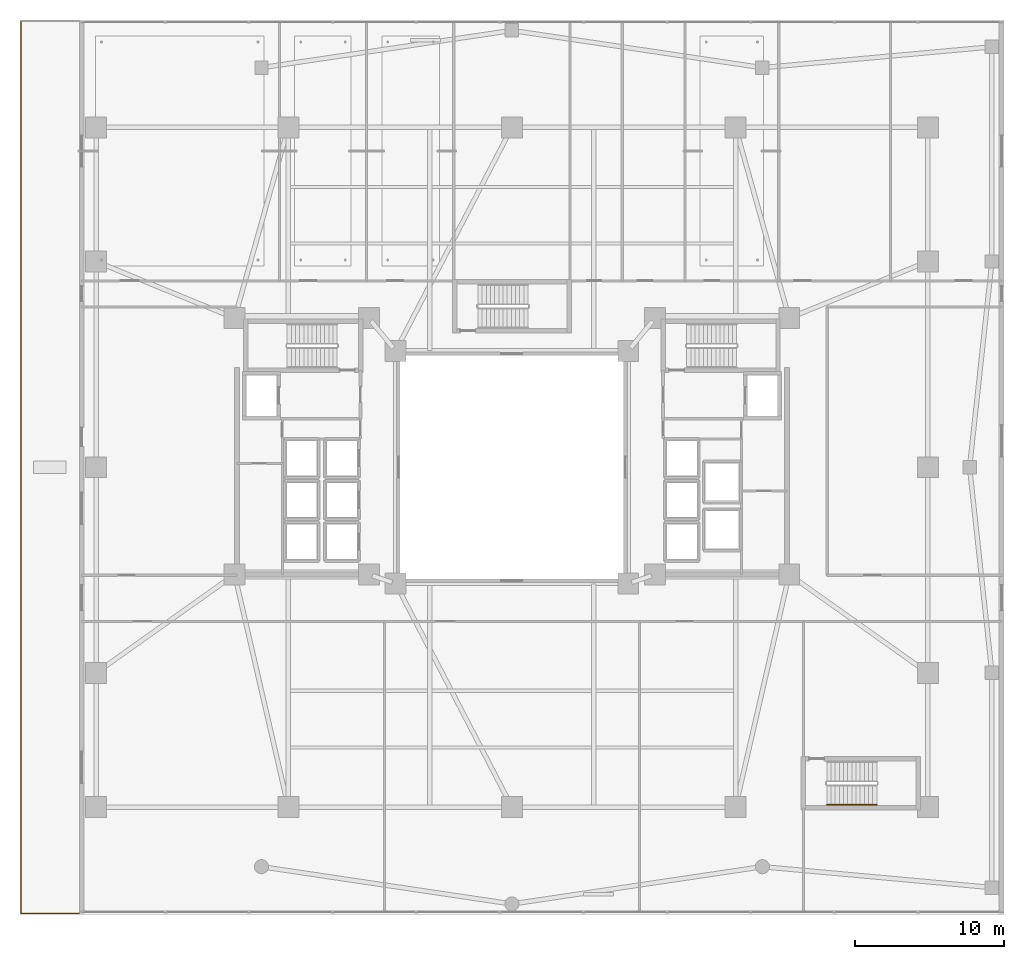
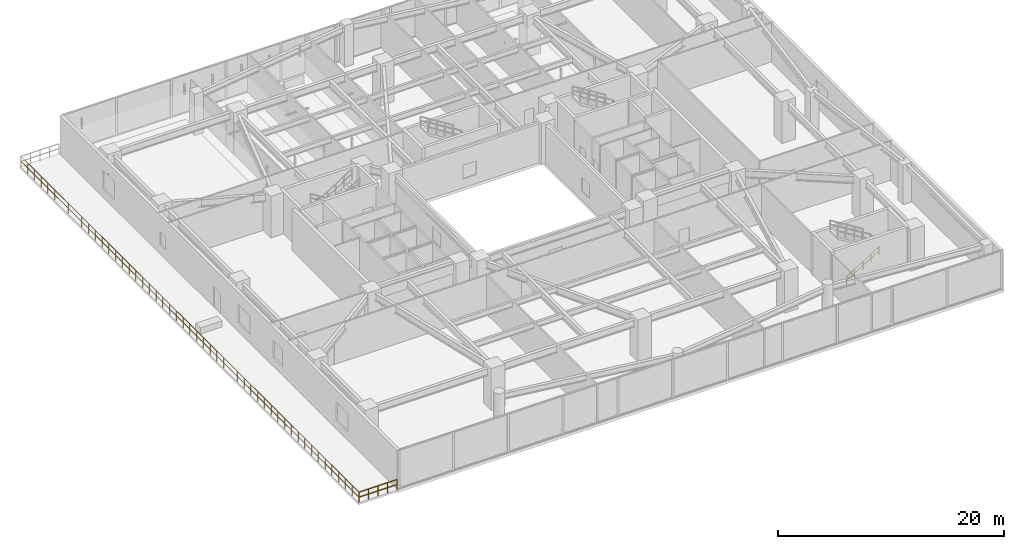
# One storey, part 26 of 29: 3 railings.
"""IFC4 building model written with IfcOpenShell, lengths in metres."""

import ifcopenshell
import ifcopenshell.guid

model = None  # the IFC model being written
_history = None  # IfcOwnerHistory: only IFC2X3 demands one
_inside = {}  # id of a spatial element -> (the spatial element, [elements in it])
_under = {}  # id of a project, library or spatial element -> (it, [spatial elements below it])
_declared = {}  # id of a project -> (the project, [libraries it declares])
_typed = {}  # id of a type object -> (the type object, [elements of that type])
_made_of = {}  # id of a material, layer set ... -> (it, [elements and type objects made of it])


def new_model(schema):
    """Start an empty IFC model of exactly this schema.

    Asked for "IFC4X3", IfcOpenShell would pick the latest addendum, in which some entities
    have other attributes; the version numbers below select the first issue.
    IFC2X3 requires an IfcOwnerHistory on every rooted entity: one is made here for all.
    """
    global model, _history
    if schema == "IFC4X3":
        model = ifcopenshell.file(schema_version=(4, 3, 0, 0))
    else:
        model = ifcopenshell.file(schema=schema)
    _inside.clear()
    _under.clear()
    _declared.clear()
    _typed.clear()
    _made_of.clear()
    _history = None
    if model.schema == "IFC2X3":
        org = make("IfcOrganization", Name="unknown")
        user = make(
            "IfcPersonAndOrganization",
            ThePerson=make("IfcPerson", FamilyName="unknown"),
            TheOrganization=org,
        )
        app = make(
            "IfcApplication",
            ApplicationDeveloper=org,
            Version="unknown",
            ApplicationFullName="unknown",
            ApplicationIdentifier="unknown",
        )
        _history = make(
            "IfcOwnerHistory",
            OwningUser=user,
            OwningApplication=app,
            ChangeAction="ADDED",
            CreationDate=0,
        )
    return model


def make(cls, **values):
    """One entity of the class cls with the attributes given. An attribute that is None is left unset."""
    return model.create_entity(
        cls, **{name: value for name, value in values.items() if value is not None}
    )


def rooted(cls, **values):
    """An entity with a GlobalId (a new one), such as an element, a storey or a relation."""
    return make(cls, GlobalId=ifcopenshell.guid.new(), OwnerHistory=_history, **values)


def si_unit(unit_type, name, prefix=None):
    """IfcSIUnit, for example si_unit("LENGTHUNIT", "METRE", prefix="MILLI")."""
    return make("IfcSIUnit", UnitType=unit_type, Prefix=prefix, Name=name)


def assignment(units):
    """IfcUnitAssignment: the units of a project."""
    return None if units is None else make("IfcUnitAssignment", Units=units)


def point(xyz):
    """IfcCartesianPoint."""
    return None if xyz is None else make("IfcCartesianPoint", Coordinates=xyz)


def direction(xyz):
    """IfcDirection."""
    return None if xyz is None else make("IfcDirection", DirectionRatios=xyz)


def frame(location, z_axis=None, x_axis=None):
    """IfcAxis2Placement3D, a coordinate frame: its origin and axes. An axis left out is left unset."""
    return make(
        "IfcAxis2Placement3D",
        Location=point(location),
        Axis=direction(z_axis),
        RefDirection=direction(x_axis),
    )


def frame_2d(location, x_axis=None):
    """IfcAxis2Placement2D, a coordinate frame in the plane: its origin and x axis."""
    return make(
        "IfcAxis2Placement2D", Location=point(location), RefDirection=direction(x_axis)
    )


def origin():
    """The frame at (0, 0, 0) with its axes left unset."""
    return frame((0.0, 0.0, 0.0))


def origin_2d():
    """The frame at (0, 0) in the plane with its x axis left unset."""
    return frame_2d((0.0, 0.0))


def place(relative_to, where):
    """IfcLocalPlacement: puts the frame where relative to a parent placement (None: the world)."""
    return make(
        "IfcLocalPlacement", PlacementRelTo=relative_to, RelativePlacement=where
    )


def context(
    kind, dimensions, precision=None, world=None, true_north=None, identifier=None
):
    """IfcGeometricRepresentationContext, for example the 3D "Model" context."""
    return make(
        "IfcGeometricRepresentationContext",
        ContextIdentifier=identifier,
        ContextType=kind,
        CoordinateSpaceDimension=dimensions,
        Precision=precision,
        WorldCoordinateSystem=world,
        TrueNorth=true_north,
    )


def subcontext(parent, identifier, kind, view, scale=None):
    """IfcGeometricRepresentationSubContext, for example "Body" below "Model"."""
    return make(
        "IfcGeometricRepresentationSubContext",
        ContextIdentifier=identifier,
        ContextType=kind,
        ParentContext=parent,
        TargetScale=scale,
        TargetView=view,
    )


def project(units=None, contexts=None):
    """IfcProject with its units and contexts."""
    return rooted(
        "IfcProject",
        Name="project",
        RepresentationContexts=contexts,
        UnitsInContext=assignment(units),
    )


def spatial(cls, under=None, at=None, **own):
    """A site, building, storey or space (cls), placed at a placement, below another one or the project."""
    s = rooted(cls, ObjectPlacement=at, **own)
    if under is not None:
        _under.setdefault(under.id(), (under, []))[1].append(s)
    return s


def profile(cls, at=None, kind="AREA", **sizes):
    """A parametric profile (cls). Its sizes go by their IFC names, for example OverallWidth=200.0."""
    return make(cls, ProfileType=kind, Position=at, **sizes)


def circle(**sizes):
    """IfcCircleProfileDef."""
    return profile("IfcCircleProfileDef", **sizes)


def extrude(swept, where, along, depth):
    """IfcExtrudedAreaSolid: the profile swept, set in the frame where, extruded along a direction by depth."""
    return make(
        "IfcExtrudedAreaSolid",
        SweptArea=swept,
        Position=where,
        ExtrudedDirection=direction(along),
        Depth=depth,
    )


def shape(context_of_items, identifier, shape_type, items):
    """IfcShapeRepresentation: the items that make up one representation, for example the "Body"."""
    return make(
        "IfcShapeRepresentation",
        ContextOfItems=context_of_items,
        RepresentationIdentifier=identifier,
        RepresentationType=shape_type,
        Items=items,
    )


def material(Name=None, Category=None):
    """IfcMaterial."""
    return make("IfcMaterial", Name=Name, Category=Category)


def made_of(thing, what):
    """Note that an element or type object is made of a material, layer set ...; save() writes the relation."""
    if what is not None:
        _made_of.setdefault(what.id(), (what, []))[1].append(thing)
    return thing


def type_object(cls, material=None, **own):
    """A type object (cls), such as IfcWallType, which elements share."""
    return made_of(rooted(cls, **own), material)


def element(
    cls,
    number,
    at=None,
    inside=None,
    cuts=None,
    type_object=None,
    material=None,
    context=None,
    identifier="Body",
    shape_type=None,
    held_by="IfcProductDefinitionShape",
    body=None,
    shapes=None,
    **own,
):
    """One element of the class cls, such as IfcWall. Its Tag is "e" and its number.

    at: its placement. inside: the storey or other place that contains it. cuts: it is an
    opening in that element (IfcRelVoidsElement). A single representation is given by context,
    identifier, shape_type and body (its items); several are given by shapes. held_by: the class
    of the entity that holds the representations. save() writes the other relations.
    """
    e = rooted(cls, Tag="e%d" % number, ObjectPlacement=at, **own)
    if body is not None:
        shapes = [shape(context, identifier, shape_type, body)]
    if shapes is not None:
        e.Representation = make(held_by, Representations=shapes)
    if inside is not None:
        _inside.setdefault(inside.id(), (inside, []))[1].append(e)
    if cuts is not None:
        rooted(
            "IfcRelVoidsElement", RelatingBuildingElement=cuts, RelatedOpeningElement=e
        )
    if type_object is not None:
        _typed.setdefault(type_object.id(), (type_object, []))[1].append(e)
    return made_of(e, material)


def aggregate(whole, parts):
    """IfcRelAggregates: a whole, such as a stair, and the parts it consists of."""
    return rooted("IfcRelAggregates", RelatingObject=whole, RelatedObjects=parts)


def save(model, path):
    """Write the relations noted so far, then the file.

    IfcRelAggregates (storeys below a building ...), IfcRelContainedInSpatialStructure (elements
    in a storey), IfcRelDefinesByType, IfcRelAssociatesMaterial and IfcRelDeclares: one each for
    every whole, place, type object, material and project.
    """
    for whole, parts in _under.values():
        aggregate(whole, parts)
    for where, things in _inside.values():
        rooted(
            "IfcRelContainedInSpatialStructure",
            RelatedElements=things,
            RelatingStructure=where,
        )
    for kind, things in _typed.values():
        rooted("IfcRelDefinesByType", RelatedObjects=things, RelatingType=kind)
    for what, things in _made_of.values():
        rooted("IfcRelAssociatesMaterial", RelatedObjects=things, RelatingMaterial=what)
    for by, libraries in _declared.values():
        rooted("IfcRelDeclares", RelatingContext=by, RelatedDefinitions=libraries)
    model.write(path)


model = new_model("IFC4")

# Units and contexts
model_context = context("Model", 3, precision=1e-05, world=origin(), true_north=direction((0.0, 1.0)))
body_context = subcontext(model_context, "Body", "Model", "MODEL_VIEW")
ifc_project = project(units=[si_unit("LENGTHUNIT", "METRE"), si_unit("AREAUNIT", "SQUARE_METRE"), si_unit("VOLUMEUNIT", "CUBIC_METRE"), si_unit("PLANEANGLEUNIT", "RADIAN"), si_unit("MASSUNIT", "GRAM", prefix="KILO")], contexts=[model_context])

# Site, building, storey
site_placement = place(None, origin())
site = spatial("IfcSite", under=ifc_project, at=site_placement, CompositionType="ELEMENT")
building_placement = place(site_placement, origin())
building = spatial("IfcBuilding", under=site, at=building_placement, Name="Tarnavaz Court Tower", CompositionType="ELEMENT")
storey_placement = place(building_placement, frame((0.0, 0.0, 5.39990234375)))
storey = spatial("IfcBuildingStorey", under=building, at=storey_placement, Name="L01", CompositionType="ELEMENT", Elevation=5.39990234375)

# Railings
ifc_material_1 = material(Name="Anodised Aluminium 6063-T6 and Laminated Safety Glass", Category="aluminium")
railing_type_1 = type_object("IfcRailingType", Name="RL-BAL-1120", PredefinedType="BALUSTRADE", material=ifc_material_1)
railing_1_placement = place(storey_placement, frame((-32.93994140625, -29.93994140625, 0.0)))
element("IfcRailing", 1, at=railing_1_placement, inside=storey, type_object=railing_type_1, Name="L01 Terrace 1 S Perimeter Balustrade", PredefinedType="BALUSTRADE", context=body_context, shape_type="SweptSolid", body=[
    extrude(circle(Radius=0.02392578125, at=origin_2d()), frame((0.0, 0.0, 1.09619140625), z_axis=(1.0, 0.0, 0.0), x_axis=(0.0, 1.0, 0.0)), (0.0, 0.0, 1.0), 3.8798828125),
    extrude(circle(Radius=0.02392578125, at=origin_2d()), frame((0.0, 0.0, 0.56005859375), z_axis=(1.0, 0.0, 0.0), x_axis=(0.0, 1.0, 0.0)), (0.0, 0.0, 1.0), 3.8798828125),
    extrude(circle(Radius=0.02099609375, at=origin_2d()), origin(), (0.0, 0.0, 1.0), 1.072021484375),
    extrude(circle(Radius=0.02099609375, at=origin_2d()), frame((0.969970703125, 0.0, 0.0)), (0.0, 0.0, 1.0), 1.072021484375),
    extrude(circle(Radius=0.02099609375, at=origin_2d()), frame((1.93994140625, 0.0, 0.0)), (0.0, 0.0, 1.0), 1.072021484375),
    extrude(circle(Radius=0.02099609375, at=origin_2d()), frame((2.909912109375, 0.0, 0.0)), (0.0, 0.0, 1.0), 1.072021484375),
    extrude(circle(Radius=0.02099609375, at=origin_2d()), frame((3.8798828125, 0.0, 0.0)), (0.0, 0.0, 1.0), 1.072021484375),
])
railing_2_placement = place(storey_placement, frame((-32.93994140625, 29.93994140625, 0.0)))
element("IfcRailing", 2, at=railing_2_placement, inside=storey, type_object=railing_type_1, Name="L01 Terrace 1 W Perimeter Balustrade", PredefinedType="BALUSTRADE", context=body_context, shape_type="SweptSolid", body=[
    extrude(circle(Radius=0.02392578125, at=origin_2d()), frame((0.0, 0.0, 1.09619140625), z_axis=(0.0, -1.0, 0.0), x_axis=(1.0, 0.0, 0.0)), (0.0, 0.0, 1.0), 59.8798828125),
    extrude(circle(Radius=0.02392578125, at=origin_2d()), frame((0.0, 0.0, 0.56005859375), z_axis=(0.0, -1.0, 0.0), x_axis=(1.0, 0.0, 0.0)), (0.0, 0.0, 1.0), 59.8798828125),
    extrude(circle(Radius=0.02099609375, at=origin_2d()), origin(), (0.0, 0.0, 1.0), 1.072021484375),
    extrude(circle(Radius=0.02099609375, at=origin_2d()), frame((0.0, -1.197509765625, 0.0)), (0.0, 0.0, 1.0), 1.072021484375),
    extrude(circle(Radius=0.02099609375, at=origin_2d()), frame((0.0, -2.395263671875, 0.0)), (0.0, 0.0, 1.0), 1.072021484375),
    extrude(circle(Radius=0.02099609375, at=origin_2d()), frame((0.0, -3.5927734375, 0.0)), (0.0, 0.0, 1.0), 1.072021484375),
    extrude(circle(Radius=0.02099609375, at=origin_2d()), frame((0.0, -4.790283203125, 0.0)), (0.0, 0.0, 1.0), 1.072021484375),
    extrude(circle(Radius=0.02099609375, at=origin_2d()), frame((0.0, -5.988037109375, 0.0)), (0.0, 0.0, 1.0), 1.072021484375),
    extrude(circle(Radius=0.02099609375, at=origin_2d()), frame((0.0, -7.185546875, 0.0)), (0.0, 0.0, 1.0), 1.072021484375),
    extrude(circle(Radius=0.02099609375, at=origin_2d()), frame((0.0, -8.38330078125, 0.0)), (0.0, 0.0, 1.0), 1.072021484375),
    extrude(circle(Radius=0.02099609375, at=origin_2d()), frame((0.0, -9.580810546875, 0.0)), (0.0, 0.0, 1.0), 1.072021484375),
    extrude(circle(Radius=0.02099609375, at=origin_2d()), frame((0.0, -10.7783203125, 0.0)), (0.0, 0.0, 1.0), 1.072021484375),
    extrude(circle(Radius=0.02099609375, at=origin_2d()), frame((0.0, -11.97607421875, 0.0)), (0.0, 0.0, 1.0), 1.072021484375),
    extrude(circle(Radius=0.02099609375, at=origin_2d()), frame((0.0, -13.173583984375, 0.0)), (0.0, 0.0, 1.0), 1.072021484375),
    extrude(circle(Radius=0.02099609375, at=origin_2d()), frame((0.0, -14.37109375, 0.0)), (0.0, 0.0, 1.0), 1.072021484375),
    extrude(circle(Radius=0.02099609375, at=origin_2d()), frame((0.0, -15.56884765625, 0.0)), (0.0, 0.0, 1.0), 1.072021484375),
    extrude(circle(Radius=0.02099609375, at=origin_2d()), frame((0.0, -16.766357421875, 0.0)), (0.0, 0.0, 1.0), 1.072021484375),
    extrude(circle(Radius=0.02099609375, at=origin_2d()), frame((0.0, -17.9638671875, 0.0)), (0.0, 0.0, 1.0), 1.072021484375),
    extrude(circle(Radius=0.02099609375, at=origin_2d()), frame((0.0, -19.16162109375, 0.0)), (0.0, 0.0, 1.0), 1.072021484375),
    extrude(circle(Radius=0.02099609375, at=origin_2d()), frame((0.0, -20.359130859375, 0.0)), (0.0, 0.0, 1.0), 1.072021484375),
    extrude(circle(Radius=0.02099609375, at=origin_2d()), frame((0.0, -21.556640625, 0.0)), (0.0, 0.0, 1.0), 1.072021484375),
    extrude(circle(Radius=0.02099609375, at=origin_2d()), frame((0.0, -22.75439453125, 0.0)), (0.0, 0.0, 1.0), 1.072021484375),
    extrude(circle(Radius=0.02099609375, at=origin_2d()), frame((0.0, -23.951904296875, 0.0)), (0.0, 0.0, 1.0), 1.072021484375),
    extrude(circle(Radius=0.02099609375, at=origin_2d()), frame((0.0, -25.149658203125, 0.0)), (0.0, 0.0, 1.0), 1.072021484375),
    extrude(circle(Radius=0.02099609375, at=origin_2d()), frame((0.0, -26.34716796875, 0.0)), (0.0, 0.0, 1.0), 1.072021484375),
    extrude(circle(Radius=0.02099609375, at=origin_2d()), frame((0.0, -27.544677734375, 0.0)), (0.0, 0.0, 1.0), 1.072021484375),
    extrude(circle(Radius=0.02099609375, at=origin_2d()), frame((0.0, -28.742431640625, 0.0)), (0.0, 0.0, 1.0), 1.072021484375),
    extrude(circle(Radius=0.02099609375, at=origin_2d()), frame((0.0, -29.93994140625, 0.0)), (0.0, 0.0, 1.0), 1.072021484375),
    extrude(circle(Radius=0.02099609375, at=origin_2d()), frame((0.0, -31.137451171875, 0.0)), (0.0, 0.0, 1.0), 1.072021484375),
    extrude(circle(Radius=0.02099609375, at=origin_2d()), frame((0.0, -32.335205078125, 0.0)), (0.0, 0.0, 1.0), 1.072021484375),
    extrude(circle(Radius=0.02099609375, at=origin_2d()), frame((0.0, -33.53271484375, 0.0)), (0.0, 0.0, 1.0), 1.072021484375),
    extrude(circle(Radius=0.02099609375, at=origin_2d()), frame((0.0, -34.730224609375, 0.0)), (0.0, 0.0, 1.0), 1.072021484375),
    extrude(circle(Radius=0.02099609375, at=origin_2d()), frame((0.0, -35.927978515625, 0.0)), (0.0, 0.0, 1.0), 1.072021484375),
    extrude(circle(Radius=0.02099609375, at=origin_2d()), frame((0.0, -37.12548828125, 0.0)), (0.0, 0.0, 1.0), 1.072021484375),
    extrude(circle(Radius=0.02099609375, at=origin_2d()), frame((0.0, -38.3232421875, 0.0)), (0.0, 0.0, 1.0), 1.072021484375),
    extrude(circle(Radius=0.02099609375, at=origin_2d()), frame((0.0, -39.520751953125, 0.0)), (0.0, 0.0, 1.0), 1.072021484375),
    extrude(circle(Radius=0.02099609375, at=origin_2d()), frame((0.0, -40.71826171875, 0.0)), (0.0, 0.0, 1.0), 1.072021484375),
    extrude(circle(Radius=0.02099609375, at=origin_2d()), frame((0.0, -41.916015625, 0.0)), (0.0, 0.0, 1.0), 1.072021484375),
    extrude(circle(Radius=0.02099609375, at=origin_2d()), frame((0.0, -43.113525390625, 0.0)), (0.0, 0.0, 1.0), 1.072021484375),
    extrude(circle(Radius=0.02099609375, at=origin_2d()), frame((0.0, -44.31103515625, 0.0)), (0.0, 0.0, 1.0), 1.072021484375),
    extrude(circle(Radius=0.02099609375, at=origin_2d()), frame((0.0, -45.5087890625, 0.0)), (0.0, 0.0, 1.0), 1.072021484375),
    extrude(circle(Radius=0.02099609375, at=origin_2d()), frame((0.0, -46.706298828125, 0.0)), (0.0, 0.0, 1.0), 1.072021484375),
    extrude(circle(Radius=0.02099609375, at=origin_2d()), frame((0.0, -47.90380859375, 0.0)), (0.0, 0.0, 1.0), 1.072021484375),
    extrude(circle(Radius=0.02099609375, at=origin_2d()), frame((0.0, -49.1015625, 0.0)), (0.0, 0.0, 1.0), 1.072021484375),
    extrude(circle(Radius=0.02099609375, at=origin_2d()), frame((0.0, -50.299072265625, 0.0)), (0.0, 0.0, 1.0), 1.072021484375),
    extrude(circle(Radius=0.02099609375, at=origin_2d()), frame((0.0, -51.49658203125, 0.0)), (0.0, 0.0, 1.0), 1.072021484375),
    extrude(circle(Radius=0.02099609375, at=origin_2d()), frame((0.0, -52.6943359375, 0.0)), (0.0, 0.0, 1.0), 1.072021484375),
    extrude(circle(Radius=0.02099609375, at=origin_2d()), frame((0.0, -53.891845703125, 0.0)), (0.0, 0.0, 1.0), 1.072021484375),
    extrude(circle(Radius=0.02099609375, at=origin_2d()), frame((0.0, -55.089599609375, 0.0)), (0.0, 0.0, 1.0), 1.072021484375),
    extrude(circle(Radius=0.02099609375, at=origin_2d()), frame((0.0, -56.287109375, 0.0)), (0.0, 0.0, 1.0), 1.072021484375),
    extrude(circle(Radius=0.02099609375, at=origin_2d()), frame((0.0, -57.484619140625, 0.0)), (0.0, 0.0, 1.0), 1.072021484375),
    extrude(circle(Radius=0.02099609375, at=origin_2d()), frame((0.0, -58.682373046875, 0.0)), (0.0, 0.0, 1.0), 1.072021484375),
    extrude(circle(Radius=0.02099609375, at=origin_2d()), frame((0.0, -59.8798828125, 0.0)), (0.0, 0.0, 1.0), 1.072021484375),
])
ifc_material_2 = material(Name="Brushed Stainless Steel", Category="steel")
railing_type_2 = type_object("IfcRailingType", Name="RL-HANDRAIL-900", PredefinedType="HANDRAIL", material=ifc_material_2)
railing_3_placement = place(storey_placement, frame((21.1201171875, -22.64990234375, 0.173095703125)))
element("IfcRailing", 3, at=railing_3_placement, inside=storey, type_object=railing_type_2, Name="L01 ST-P1 stair handrail 1", PredefinedType="HANDRAIL", context=body_context, shape_type="SweptSolid", body=[
    extrude(circle(Radius=0.02392578125, at=origin_2d()), frame((0.0, 0.0, 0.8759765625), z_axis=(0.850606129759, 0.0, 0.525803396734), x_axis=(0.0, 1.0, 0.0)), (0.0, 0.0, 1.0), 3.949951171875),
    extrude(circle(Radius=0.02392578125, at=origin_2d()), frame((0.0, 0.0, 0.449951171875), z_axis=(0.850606129759, 0.0, 0.525803396734), x_axis=(0.0, 1.0, 0.0)), (0.0, 0.0, 1.0), 3.949951171875),
    extrude(circle(Radius=0.02099609375, at=origin_2d()), origin(), (0.0, 0.0, 1.0), 0.851806640625),
    extrude(circle(Radius=0.02099609375, at=origin_2d()), frame((0.83984375, 0.0, 0.519287109375)), (0.0, 0.0, 1.0), 0.851806640625),
    extrude(circle(Radius=0.02099609375, at=origin_2d()), frame((1.679931640625, 0.0, 1.03857421875)), (0.0, 0.0, 1.0), 0.851806640625),
    extrude(circle(Radius=0.02099609375, at=origin_2d()), frame((2.52001953125, 0.0, 1.5576171875)), (0.0, 0.0, 1.0), 0.851806640625),
    extrude(circle(Radius=0.02099609375, at=origin_2d()), frame((3.35986328125, 0.0, 2.076904296875)), (0.0, 0.0, 1.0), 0.851806640625),
])

save(model, "model.ifc")
